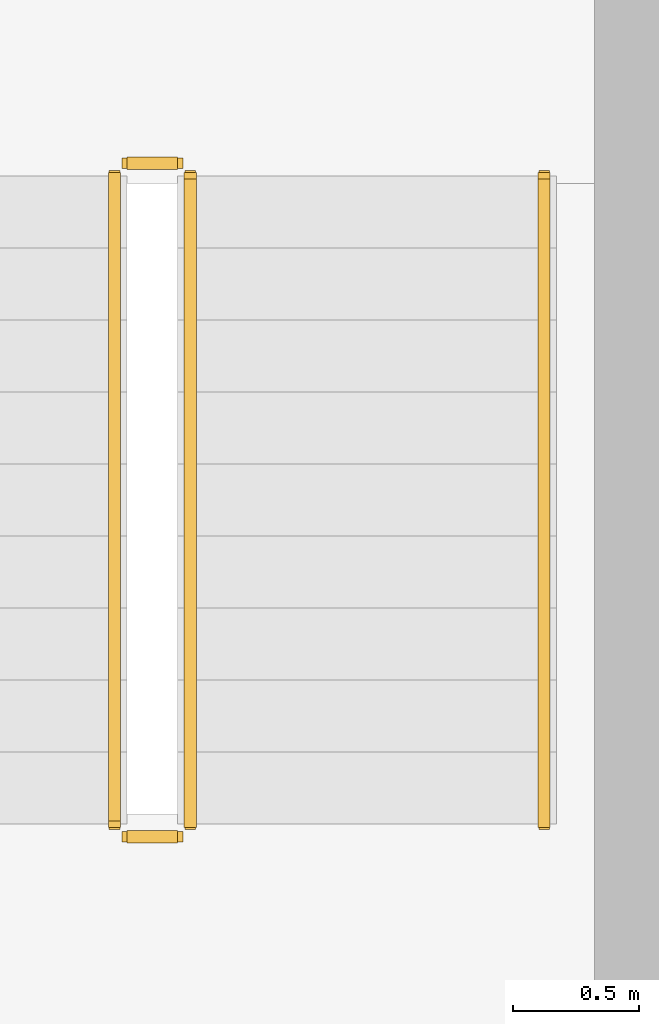
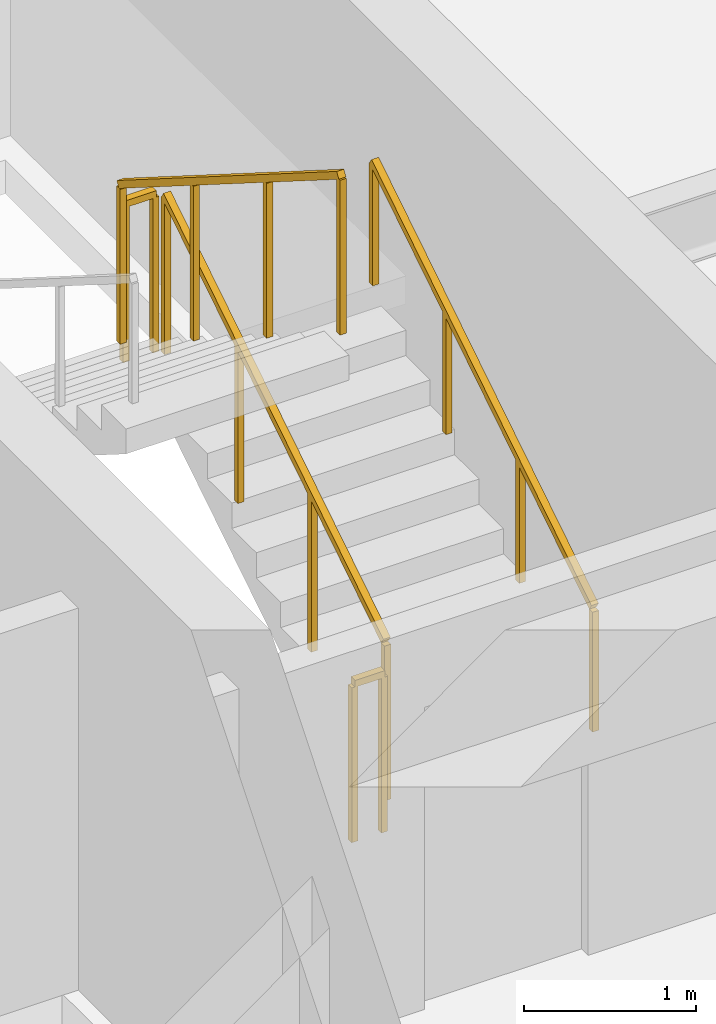
# One storey, part 23 of 23: 5 railings.
"""IFC4 building model written with IfcOpenShell, lengths in metres."""

import ifcopenshell
import ifcopenshell.guid

model = None  # the IFC model being written
_history = None  # IfcOwnerHistory: only IFC2X3 demands one
_inside = {}  # id of a spatial element -> (the spatial element, [elements in it])
_under = {}  # id of a project, library or spatial element -> (it, [spatial elements below it])
_declared = {}  # id of a project -> (the project, [libraries it declares])
_typed = {}  # id of a type object -> (the type object, [elements of that type])
_made_of = {}  # id of a material, layer set ... -> (it, [elements and type objects made of it])


def new_model(schema):
    """Start an empty IFC model of exactly this schema.

    Asked for "IFC4X3", IfcOpenShell would pick the latest addendum, in which some entities
    have other attributes; the version numbers below select the first issue.
    IFC2X3 requires an IfcOwnerHistory on every rooted entity: one is made here for all.
    """
    global model, _history
    if schema == "IFC4X3":
        model = ifcopenshell.file(schema_version=(4, 3, 0, 0))
    else:
        model = ifcopenshell.file(schema=schema)
    _inside.clear()
    _under.clear()
    _declared.clear()
    _typed.clear()
    _made_of.clear()
    _history = None
    if model.schema == "IFC2X3":
        org = make("IfcOrganization", Name="unknown")
        user = make(
            "IfcPersonAndOrganization",
            ThePerson=make("IfcPerson", FamilyName="unknown"),
            TheOrganization=org,
        )
        app = make(
            "IfcApplication",
            ApplicationDeveloper=org,
            Version="unknown",
            ApplicationFullName="unknown",
            ApplicationIdentifier="unknown",
        )
        _history = make(
            "IfcOwnerHistory",
            OwningUser=user,
            OwningApplication=app,
            ChangeAction="ADDED",
            CreationDate=0,
        )
    return model


def make(cls, **values):
    """One entity of the class cls with the attributes given. An attribute that is None is left unset."""
    return model.create_entity(
        cls, **{name: value for name, value in values.items() if value is not None}
    )


def rooted(cls, **values):
    """An entity with a GlobalId (a new one), such as an element, a storey or a relation."""
    return make(cls, GlobalId=ifcopenshell.guid.new(), OwnerHistory=_history, **values)


def si_unit(unit_type, name, prefix=None):
    """IfcSIUnit, for example si_unit("LENGTHUNIT", "METRE", prefix="MILLI")."""
    return make("IfcSIUnit", UnitType=unit_type, Prefix=prefix, Name=name)


def assignment(units):
    """IfcUnitAssignment: the units of a project."""
    return None if units is None else make("IfcUnitAssignment", Units=units)


def point(xyz):
    """IfcCartesianPoint."""
    return None if xyz is None else make("IfcCartesianPoint", Coordinates=xyz)


def direction(xyz):
    """IfcDirection."""
    return None if xyz is None else make("IfcDirection", DirectionRatios=xyz)


def frame(location, z_axis=None, x_axis=None):
    """IfcAxis2Placement3D, a coordinate frame: its origin and axes. An axis left out is left unset."""
    return make(
        "IfcAxis2Placement3D",
        Location=point(location),
        Axis=direction(z_axis),
        RefDirection=direction(x_axis),
    )


def frame_2d(location, x_axis=None):
    """IfcAxis2Placement2D, a coordinate frame in the plane: its origin and x axis."""
    return make(
        "IfcAxis2Placement2D", Location=point(location), RefDirection=direction(x_axis)
    )


def origin():
    """The frame at (0, 0, 0) with its axes left unset."""
    return frame((0.0, 0.0, 0.0))


def origin_2d():
    """The frame at (0, 0) in the plane with its x axis left unset."""
    return frame_2d((0.0, 0.0))


def place(relative_to, where):
    """IfcLocalPlacement: puts the frame where relative to a parent placement (None: the world)."""
    return make(
        "IfcLocalPlacement", PlacementRelTo=relative_to, RelativePlacement=where
    )


def context(
    kind, dimensions, precision=None, world=None, true_north=None, identifier=None
):
    """IfcGeometricRepresentationContext, for example the 3D "Model" context."""
    return make(
        "IfcGeometricRepresentationContext",
        ContextIdentifier=identifier,
        ContextType=kind,
        CoordinateSpaceDimension=dimensions,
        Precision=precision,
        WorldCoordinateSystem=world,
        TrueNorth=true_north,
    )


def subcontext(parent, identifier, kind, view, scale=None):
    """IfcGeometricRepresentationSubContext, for example "Body" below "Model"."""
    return make(
        "IfcGeometricRepresentationSubContext",
        ContextIdentifier=identifier,
        ContextType=kind,
        ParentContext=parent,
        TargetScale=scale,
        TargetView=view,
    )


def project(units=None, contexts=None):
    """IfcProject with its units and contexts."""
    return rooted(
        "IfcProject",
        Name="project",
        RepresentationContexts=contexts,
        UnitsInContext=assignment(units),
    )


def spatial(cls, under=None, at=None, **own):
    """A site, building, storey or space (cls), placed at a placement, below another one or the project."""
    s = rooted(cls, ObjectPlacement=at, **own)
    if under is not None:
        _under.setdefault(under.id(), (under, []))[1].append(s)
    return s


def profile(cls, at=None, kind="AREA", **sizes):
    """A parametric profile (cls). Its sizes go by their IFC names, for example OverallWidth=200.0."""
    return make(cls, ProfileType=kind, Position=at, **sizes)


def rectangle(**sizes):
    """IfcRectangleProfileDef."""
    return profile("IfcRectangleProfileDef", **sizes)


def extrude(swept, where, along, depth):
    """IfcExtrudedAreaSolid: the profile swept, set in the frame where, extruded along a direction by depth."""
    return make(
        "IfcExtrudedAreaSolid",
        SweptArea=swept,
        Position=where,
        ExtrudedDirection=direction(along),
        Depth=depth,
    )


def shape(context_of_items, identifier, shape_type, items):
    """IfcShapeRepresentation: the items that make up one representation, for example the "Body"."""
    return make(
        "IfcShapeRepresentation",
        ContextOfItems=context_of_items,
        RepresentationIdentifier=identifier,
        RepresentationType=shape_type,
        Items=items,
    )


def material(Name=None, Category=None):
    """IfcMaterial."""
    return make("IfcMaterial", Name=Name, Category=Category)


def made_of(thing, what):
    """Note that an element or type object is made of a material, layer set ...; save() writes the relation."""
    if what is not None:
        _made_of.setdefault(what.id(), (what, []))[1].append(thing)
    return thing


def type_object(cls, material=None, **own):
    """A type object (cls), such as IfcWallType, which elements share."""
    return made_of(rooted(cls, **own), material)


def element(
    cls,
    number,
    at=None,
    inside=None,
    cuts=None,
    type_object=None,
    material=None,
    context=None,
    identifier="Body",
    shape_type=None,
    held_by="IfcProductDefinitionShape",
    body=None,
    shapes=None,
    **own,
):
    """One element of the class cls, such as IfcWall. Its Tag is "e" and its number.

    at: its placement. inside: the storey or other place that contains it. cuts: it is an
    opening in that element (IfcRelVoidsElement). A single representation is given by context,
    identifier, shape_type and body (its items); several are given by shapes. held_by: the class
    of the entity that holds the representations. save() writes the other relations.
    """
    e = rooted(cls, Tag="e%d" % number, ObjectPlacement=at, **own)
    if body is not None:
        shapes = [shape(context, identifier, shape_type, body)]
    if shapes is not None:
        e.Representation = make(held_by, Representations=shapes)
    if inside is not None:
        _inside.setdefault(inside.id(), (inside, []))[1].append(e)
    if cuts is not None:
        rooted(
            "IfcRelVoidsElement", RelatingBuildingElement=cuts, RelatedOpeningElement=e
        )
    if type_object is not None:
        _typed.setdefault(type_object.id(), (type_object, []))[1].append(e)
    return made_of(e, material)


def aggregate(whole, parts):
    """IfcRelAggregates: a whole, such as a stair, and the parts it consists of."""
    return rooted("IfcRelAggregates", RelatingObject=whole, RelatedObjects=parts)


def save(model, path):
    """Write the relations noted so far, then the file.

    IfcRelAggregates (storeys below a building ...), IfcRelContainedInSpatialStructure (elements
    in a storey), IfcRelDefinesByType, IfcRelAssociatesMaterial and IfcRelDeclares: one each for
    every whole, place, type object, material and project.
    """
    for whole, parts in _under.values():
        aggregate(whole, parts)
    for where, things in _inside.values():
        rooted(
            "IfcRelContainedInSpatialStructure",
            RelatedElements=things,
            RelatingStructure=where,
        )
    for kind, things in _typed.values():
        rooted("IfcRelDefinesByType", RelatedObjects=things, RelatingType=kind)
    for what, things in _made_of.values():
        rooted("IfcRelAssociatesMaterial", RelatedObjects=things, RelatingMaterial=what)
    for by, libraries in _declared.values():
        rooted("IfcRelDeclares", RelatingContext=by, RelatedDefinitions=libraries)
    model.write(path)


model = new_model("IFC4")

# Units and contexts
model_context = context("Model", 3, precision=1e-05, world=origin(), true_north=direction((0.0, 1.0)))
body_context = subcontext(model_context, "Body", "Model", "MODEL_VIEW")
ifc_project = project(units=[si_unit("LENGTHUNIT", "METRE"), si_unit("AREAUNIT", "SQUARE_METRE"), si_unit("VOLUMEUNIT", "CUBIC_METRE"), si_unit("PLANEANGLEUNIT", "RADIAN"), si_unit("MASSUNIT", "GRAM", prefix="KILO")], contexts=[model_context])

# Site, building, storey
site_placement = place(None, origin())
site = spatial("IfcSite", under=ifc_project, at=site_placement, CompositionType="ELEMENT")
building_placement = place(site_placement, origin())
building = spatial("IfcBuilding", under=site, at=building_placement, Name="Sarneth Arch Tower", CompositionType="ELEMENT")
storey_placement = place(building_placement, frame((0.0, 0.0, 228.0)))
storey = spatial("IfcBuildingStorey", under=building, at=storey_placement, Name="L58", CompositionType="ELEMENT", Elevation=228.0)

# Railings
ifc_material_1 = material(Name="Brushed Stainless Steel 304 tubular handrail", Category="steel")
railing_type_1 = type_object("IfcRailingType", Name="RAIL-HANDRAIL-900", PredefinedType="HANDRAIL", material=ifc_material_1)
railing_1_placement = place(storey_placement, frame((58.60009765625, 41.449951171875, 0.179931640625)))
element("IfcRailing", 1, at=railing_1_placement, inside=storey, type_object=railing_type_1, Name="L58 ST-2 stair handrail 1", PredefinedType="HANDRAIL", context=body_context, shape_type="SweptSolid", body=[
    extrude(rectangle(XDim=0.048095703125, YDim=0.048095703125, at=origin_2d()), frame((0.0, 0.0, 0.8759765625), z_axis=(0.0, 0.845465955043, 0.534029323973), x_axis=(-1.0, 0.0, 0.0)), (0.0, 0.0, 1.0), 3.03369140625),
    extrude(rectangle(XDim=0.0419921875, YDim=0.0419921875, at=origin_2d()), origin(), (0.0, 0.0, 1.0), 0.851806640625),
    extrude(rectangle(XDim=0.0419921875, YDim=0.0419921875, at=origin_2d()), frame((0.0, 0.85498046875, 0.5400390625)), (0.0, 0.0, 1.0), 0.851806640625),
    extrude(rectangle(XDim=0.0419921875, YDim=0.0419921875, at=origin_2d()), frame((0.0, 1.7099609375, 1.080078125)), (0.0, 0.0, 1.0), 0.851806640625),
    extrude(rectangle(XDim=0.0419921875, YDim=0.0419921875, at=origin_2d()), frame((0.0, 2.56494140625, 1.6201171875)), (0.0, 0.0, 1.0), 0.851806640625),
])
ifc_material_2 = material(Name="Painted Steel S275 stair well guard", Category="steel")
railing_type_2 = type_object("IfcRailingType", Name="RAIL-STAIR-GUARD", PredefinedType="GUARDRAIL", material=ifc_material_2)
railing_2_placement = place(storey_placement, frame((57.199951171875, 41.449951171875, 0.179931640625)))
element("IfcRailing", 2, at=railing_2_placement, inside=storey, type_object=railing_type_2, Name="L58 ST-2 stair guard 1", PredefinedType="GUARDRAIL", context=body_context, shape_type="SweptSolid", body=[
    extrude(rectangle(XDim=0.048095703125, YDim=0.048095703125, at=origin_2d()), frame((0.0, 0.0, 1.1259765625), z_axis=(0.0, 0.845465955043, 0.534029323973), x_axis=(-1.0, 0.0, 0.0)), (0.0, 0.0, 1.0), 3.03369140625),
    extrude(rectangle(XDim=0.0419921875, YDim=0.0419921875, at=origin_2d()), origin(), (0.0, 0.0, 1.0), 1.101806640625),
    extrude(rectangle(XDim=0.0419921875, YDim=0.0419921875, at=origin_2d()), frame((0.0, 0.85498046875, 0.5400390625)), (0.0, 0.0, 1.0), 1.101806640625),
    extrude(rectangle(XDim=0.0419921875, YDim=0.0419921875, at=origin_2d()), frame((0.0, 1.7099609375, 1.080078125)), (0.0, 0.0, 1.0), 1.101806640625),
    extrude(rectangle(XDim=0.0419921875, YDim=0.0419921875, at=origin_2d()), frame((0.0, 2.56494140625, 1.6201171875)), (0.0, 0.0, 1.0), 1.101806640625),
])
railing_3_placement = place(storey_placement, frame((57.14990234375, 44.06494140625, 1.800048828125)))
element("IfcRailing", 3, at=railing_3_placement, inside=storey, type_object=railing_type_2, Name="L58 ST-2 stair guard 2", PredefinedType="GUARDRAIL", context=body_context, shape_type="SweptSolid", body=[
    extrude(rectangle(XDim=0.048095703125, YDim=0.048095703125, at=origin_2d()), frame((0.0, 0.0, 1.1259765625), z_axis=(-1.0, 0.0, 0.0), x_axis=(0.0, -1.0, 0.0)), (0.0, 0.0, 1.0), 0.199951171875),
    extrude(rectangle(XDim=0.0419921875, YDim=0.0419921875, at=origin_2d()), origin(), (0.0, 0.0, 1.0), 1.101806640625),
    extrude(rectangle(XDim=0.0419921875, YDim=0.0419921875, at=origin_2d()), frame((-0.199951171875, 0.0, 0.0)), (0.0, 0.0, 1.0), 1.101806640625),
])
railing_4_placement = place(storey_placement, frame((56.89990234375, 44.014892578125, 1.97998046875)))
element("IfcRailing", 4, at=railing_4_placement, inside=storey, type_object=railing_type_2, Name="L58 ST-2 stair guard 3", PredefinedType="GUARDRAIL", context=body_context, shape_type="SweptSolid", body=[
    extrude(rectangle(XDim=0.048095703125, YDim=0.048095703125, at=origin_2d()), frame((0.0, 0.0, 1.1259765625), z_axis=(0.0, -0.845465955043, 0.534029323973), x_axis=(1.0, 0.0, 0.0)), (0.0, 0.0, 1.0), 3.03369140625),
    extrude(rectangle(XDim=0.0419921875, YDim=0.0419921875, at=origin_2d()), origin(), (0.0, 0.0, 1.0), 1.101806640625),
    extrude(rectangle(XDim=0.0419921875, YDim=0.0419921875, at=origin_2d()), frame((0.0, -0.85498046875, 0.5400390625)), (0.0, 0.0, 1.0), 1.101806640625),
    extrude(rectangle(XDim=0.0419921875, YDim=0.0419921875, at=origin_2d()), frame((0.0, -1.7099609375, 1.080078125)), (0.0, 0.0, 1.0), 1.101806640625),
    extrude(rectangle(XDim=0.0419921875, YDim=0.0419921875, at=origin_2d()), frame((0.0, -2.56494140625, 1.6201171875)), (0.0, 0.0, 1.0), 1.101806640625),
])
railing_5_placement = place(storey_placement, frame((57.14990234375, 41.39990234375, 0.0)))
element("IfcRailing", 5, at=railing_5_placement, inside=storey, type_object=railing_type_2, Name="L58 ST-2 stair guard 4", PredefinedType="GUARDRAIL", context=body_context, shape_type="SweptSolid", body=[
    extrude(rectangle(XDim=0.048095703125, YDim=0.048095703125, at=origin_2d()), frame((0.0, 0.0, 1.1259765625), z_axis=(-1.0, 0.0, 0.0), x_axis=(0.0, -1.0, 0.0)), (0.0, 0.0, 1.0), 0.199951171875),
    extrude(rectangle(XDim=0.0419921875, YDim=0.0419921875, at=origin_2d()), origin(), (0.0, 0.0, 1.0), 1.101806640625),
    extrude(rectangle(XDim=0.0419921875, YDim=0.0419921875, at=origin_2d()), frame((-0.199951171875, 0.0, 0.0)), (0.0, 0.0, 1.0), 1.101806640625),
])

save(model, "model.ifc")
